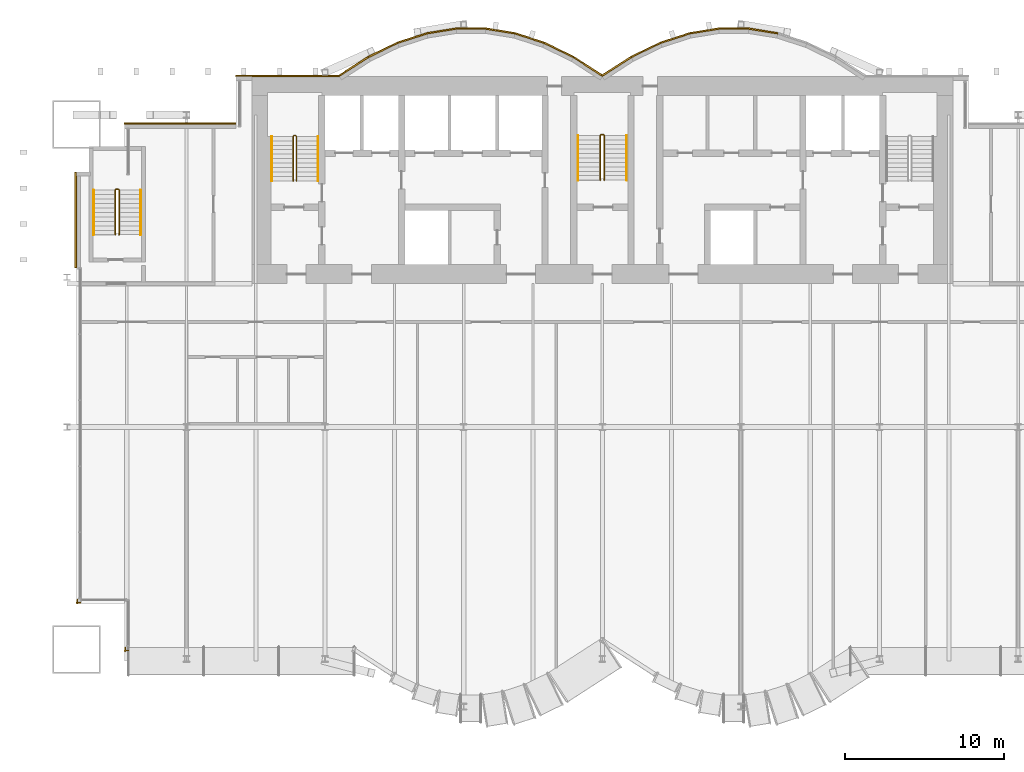
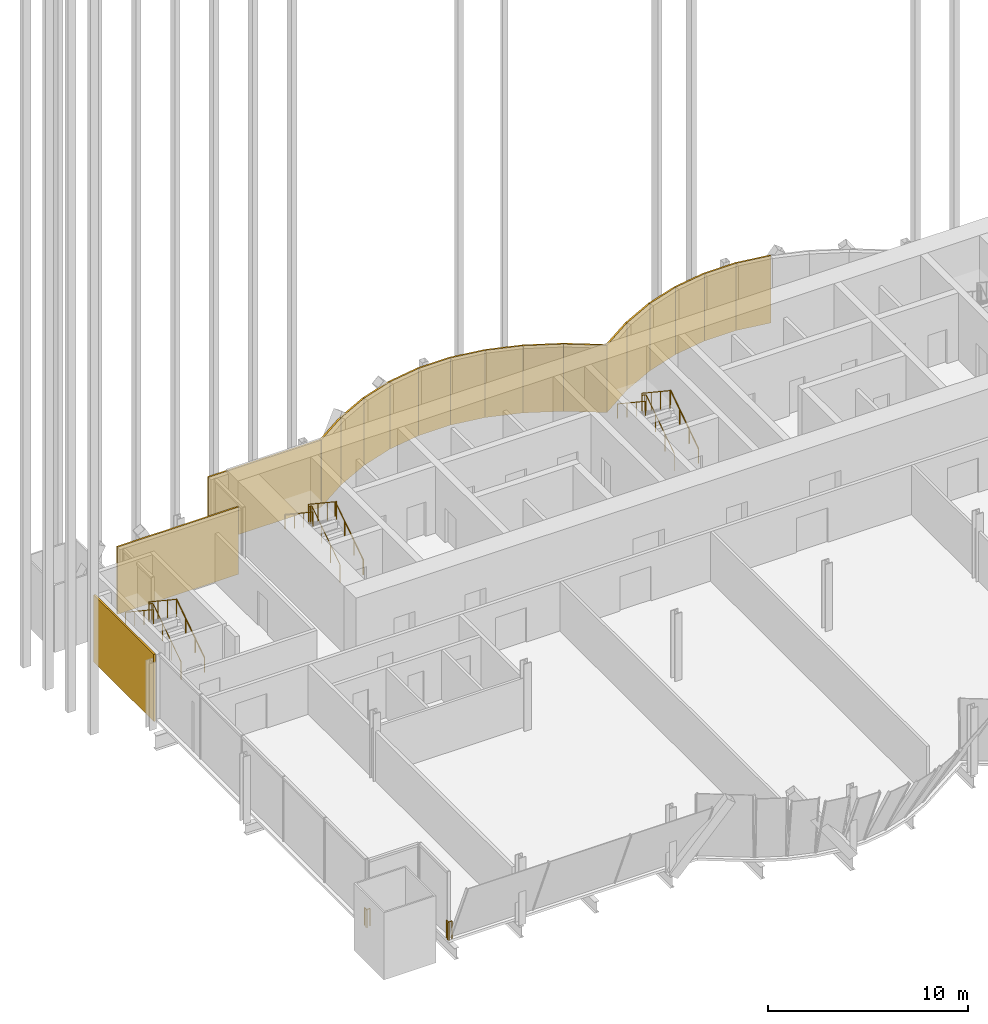
# One storey, part 21 of 22: 18 coverings, 11 railings.
"""IFC4 building model written with IfcOpenShell, lengths in metres."""

from ifc_helpers import new_model, si_unit, direction, frame, origin, origin_2d, place, context, subcontext, project, spatial, rectangle, circle, extrude, material, layer, layer_set, type_object, element, save


model = new_model("IFC4")

# Units and contexts
model_context = context("Model", 3, precision=1e-05, world=origin(), true_north=direction((0.0, 1.0)))
body_context = subcontext(model_context, "Body", "Model", "MODEL_VIEW")
ifc_project = project(units=[si_unit("LENGTHUNIT", "METRE"), si_unit("AREAUNIT", "SQUARE_METRE"), si_unit("VOLUMEUNIT", "CUBIC_METRE"), si_unit("PLANEANGLEUNIT", "RADIAN"), si_unit("MASSUNIT", "GRAM", prefix="KILO")], contexts=[model_context])

# Site, building, storey
site_placement = place(None, origin())
site = spatial("IfcSite", under=ifc_project, at=site_placement, CompositionType="ELEMENT")
building_placement = place(site_placement, origin())
building = spatial("IfcBuilding", under=site, at=building_placement, Name="Bicima Exchange Tower", CompositionType="ELEMENT")
storey_placement = place(building_placement, frame((0.0, 0.0, 89.89990234375)))
storey = spatial("IfcBuildingStorey", under=building, at=storey_placement, Name="L18", CompositionType="ELEMENT", Elevation=89.89990234375)

# Coverings
ifc_material_1 = material(Name="Bronze metal cladding")
ifc_layer_1 = layer(ifc_material_1, 0.004)
ifc_material_2 = material(Name="Ventilated cavity")
ifc_layer_2 = layer(ifc_material_2, 0.06)
ifc_material_3 = material(Name="Galvanised steel rail and mineral wool", Category="steel")
ifc_layer_3 = layer(ifc_material_3, 0.036)
ifc_layer_set = layer_set([ifc_layer_1, ifc_layer_2, ifc_layer_3], Name="Ventilated cavity")
covering_type = type_object("IfcCoveringType", Name="Bronze metal cladding panel 100", PredefinedType="CLADDING", material=ifc_layer_set)
covering_1_placement = place(storey_placement, frame((10.09130859375, 2.8642578125, -0.14990234375), z_axis=(0.0, 0.0, 1.0), x_axis=(-0.987189786347, 0.159550386184, 0.0)))
element("IfcCovering", 1, at=covering_1_placement, inside=storey, type_object=covering_type, Name="Bronze cladding L18 11.1", PredefinedType="CLADDING", context=body_context, shape_type="SweptSolid", body=[
    extrude(rectangle(XDim=1.857177734375, YDim=0.10009765625, at=origin_2d()), origin(), (0.0, 0.0, 1.0), 4.10009765625),
])
covering_2_placement = place(storey_placement, frame((8.25, 3.012939453125, -0.14990234375), z_axis=(0.0, 0.0, 1.0), x_axis=(-1.0, 0.0, 0.0)))
element("IfcCovering", 2, at=covering_2_placement, inside=storey, type_object=covering_type, Name="Bronze cladding L18 12.1", PredefinedType="CLADDING", context=body_context, shape_type="SweptSolid", body=[
    extrude(rectangle(XDim=1.83349609375, YDim=0.10009765625, at=origin_2d()), origin(), (0.0, 0.0, 1.0), 4.10009765625),
])
covering_3_placement = place(storey_placement, frame((6.40869140625, 2.8642578125, -0.14990234375), z_axis=(0.0, 0.0, 1.0), x_axis=(-0.987189786347, -0.159550386184, 0.0)))
element("IfcCovering", 3, at=covering_3_placement, inside=storey, type_object=covering_type, Name="Bronze cladding L18 13.1", PredefinedType="CLADDING", context=body_context, shape_type="SweptSolid", body=[
    extrude(rectangle(XDim=1.857177734375, YDim=0.10009765625, at=origin_2d()), origin(), (0.0, 0.0, 1.0), 4.10009765625),
])
covering_4_placement = place(storey_placement, frame((4.568115234375, 2.41796875, -0.14990234375), z_axis=(0.0, 0.0, 1.0), x_axis=(-0.951524642381, -0.307572519808, 0.0)))
element("IfcCovering", 4, at=covering_4_placement, inside=storey, type_object=covering_type, Name="Bronze cladding L18 14.1", PredefinedType="CLADDING", context=body_context, shape_type="SweptSolid", body=[
    extrude(rectangle(XDim=1.9267578125, YDim=0.10009765625, at=origin_2d()), origin(), (0.0, 0.0, 1.0), 4.10009765625),
])
covering_5_placement = place(storey_placement, frame((2.728271484375, 1.674560546875, -0.14990234375), z_axis=(0.0, 0.0, 1.0), x_axis=(-0.899818346812, -0.436264762204, 0.0)))
element("IfcCovering", 5, at=covering_5_placement, inside=storey, type_object=covering_type, Name="Bronze cladding L18 15.1", PredefinedType="CLADDING", context=body_context, shape_type="SweptSolid", body=[
    extrude(rectangle(XDim=2.03759765625, YDim=0.10009765625, at=origin_2d()), origin(), (0.0, 0.0, 1.0), 4.10009765625),
])
for number, where, z_axis, x_axis, name in (
    (6, (0.889404296875, 0.634521484375, -0.14990234375), (0.0, 0.0, 1.0), (-0.839790466384, -0.542910648791, 0.0), "Bronze cladding L18 16.1"),
    (7, (-0.889404296875, 0.634521484375, -0.14990234375), (0.0, 0.0, 1.0), (-0.839790466384, 0.542910648791, 0.0), "Bronze cladding L18 17.1"),
):
    element("IfcCovering", number, at=place(storey_placement, frame(where, z_axis=z_axis, x_axis=x_axis)), inside=storey, type_object=covering_type, Name=name, PredefinedType="CLADDING", context=body_context, shape_type="SweptSolid", body=[
        extrude(rectangle(XDim=2.18310546875, YDim=0.10009765625, at=origin_2d()), origin(), (0.0, 0.0, 1.0), 4.10009765625),
    ])
covering_6_placement = place(storey_placement, frame((-2.728271484375, 1.674560546875, -0.14990234375), z_axis=(0.0, 0.0, 1.0), x_axis=(-0.899818346812, 0.436264762204, 0.0)))
element("IfcCovering", 8, at=covering_6_placement, inside=storey, type_object=covering_type, Name="Bronze cladding L18 18.1", PredefinedType="CLADDING", context=body_context, shape_type="SweptSolid", body=[
    extrude(rectangle(XDim=2.03759765625, YDim=0.10009765625, at=origin_2d()), origin(), (0.0, 0.0, 1.0), 4.10009765625),
])
covering_7_placement = place(storey_placement, frame((-4.568115234375, 2.41796875, -0.14990234375), z_axis=(0.0, 0.0, 1.0), x_axis=(-0.951524642381, 0.307572519808, 0.0)))
element("IfcCovering", 9, at=covering_7_placement, inside=storey, type_object=covering_type, Name="Bronze cladding L18 19.1", PredefinedType="CLADDING", context=body_context, shape_type="SweptSolid", body=[
    extrude(rectangle(XDim=1.9267578125, YDim=0.10009765625, at=origin_2d()), origin(), (0.0, 0.0, 1.0), 4.10009765625),
])
covering_8_placement = place(storey_placement, frame((-6.40869140625, 2.8642578125, -0.14990234375), z_axis=(0.0, 0.0, 1.0), x_axis=(-0.987189786347, 0.159550386184, 0.0)))
element("IfcCovering", 10, at=covering_8_placement, inside=storey, type_object=covering_type, Name="Bronze cladding L18 20.1", PredefinedType="CLADDING", context=body_context, shape_type="SweptSolid", body=[
    extrude(rectangle(XDim=1.857177734375, YDim=0.10009765625, at=origin_2d()), origin(), (0.0, 0.0, 1.0), 4.10009765625),
])
covering_9_placement = place(storey_placement, frame((-8.25, 3.012939453125, -0.14990234375), z_axis=(0.0, 0.0, 1.0), x_axis=(-1.0, 0.0, 0.0)))
element("IfcCovering", 11, at=covering_9_placement, inside=storey, type_object=covering_type, Name="Bronze cladding L18 21.1", PredefinedType="CLADDING", context=body_context, shape_type="SweptSolid", body=[
    extrude(rectangle(XDim=1.83349609375, YDim=0.10009765625, at=origin_2d()), origin(), (0.0, 0.0, 1.0), 4.10009765625),
])
covering_10_placement = place(storey_placement, frame((-10.09130859375, 2.8642578125, -0.14990234375), z_axis=(0.0, 0.0, 1.0), x_axis=(-0.987189786347, -0.159550386184, 0.0)))
element("IfcCovering", 12, at=covering_10_placement, inside=storey, type_object=covering_type, Name="Bronze cladding L18 22.1", PredefinedType="CLADDING", context=body_context, shape_type="SweptSolid", body=[
    extrude(rectangle(XDim=1.857177734375, YDim=0.10009765625, at=origin_2d()), origin(), (0.0, 0.0, 1.0), 4.10009765625),
])
covering_11_placement = place(storey_placement, frame((-11.931884765625, 2.41796875, -0.14990234375), z_axis=(0.0, 0.0, 1.0), x_axis=(-0.951524642381, -0.307572519808, 0.0)))
element("IfcCovering", 13, at=covering_11_placement, inside=storey, type_object=covering_type, Name="Bronze cladding L18 23.1", PredefinedType="CLADDING", context=body_context, shape_type="SweptSolid", body=[
    extrude(rectangle(XDim=1.9267578125, YDim=0.10009765625, at=origin_2d()), origin(), (0.0, 0.0, 1.0), 4.10009765625),
])
covering_12_placement = place(storey_placement, frame((-13.771728515625, 1.674560546875, -0.14990234375), z_axis=(0.0, 0.0, 1.0), x_axis=(-0.899818346812, -0.436264762204, 0.0)))
element("IfcCovering", 14, at=covering_12_placement, inside=storey, type_object=covering_type, Name="Bronze cladding L18 24.1", PredefinedType="CLADDING", context=body_context, shape_type="SweptSolid", body=[
    extrude(rectangle(XDim=2.03759765625, YDim=0.10009765625, at=origin_2d()), origin(), (0.0, 0.0, 1.0), 4.10009765625),
])
covering_13_placement = place(storey_placement, frame((-15.610595703125, 0.634521484375, -0.14990234375), z_axis=(0.0, 0.0, 1.0), x_axis=(-0.839790466384, -0.542910648791, 0.0)))
element("IfcCovering", 15, at=covering_13_placement, inside=storey, type_object=covering_type, Name="Bronze cladding L18 25.1", PredefinedType="CLADDING", context=body_context, shape_type="SweptSolid", body=[
    extrude(rectangle(XDim=2.18310546875, YDim=0.10009765625, at=origin_2d()), origin(), (0.0, 0.0, 1.0), 4.10009765625),
])
covering_14_placement = place(storey_placement, frame((-19.75, 0.050048828125, -0.14990234375), z_axis=(0.0, 0.0, 1.0), x_axis=(-1.0, 0.0, 0.0)))
element("IfcCovering", 16, at=covering_14_placement, inside=storey, type_object=covering_type, Name="Bronze cladding L18 26.1", PredefinedType="CLADDING", context=body_context, shape_type="SweptSolid", body=[
    extrude(rectangle(XDim=6.5, YDim=0.10009765625, at=origin_2d()), origin(), (0.0, 0.0, 1.0), 4.10009765625),
])
covering_15_placement = place(storey_placement, frame((-26.5, -2.949951171875, -0.14990234375), z_axis=(0.0, 0.0, 1.0), x_axis=(-1.0, 0.0, 0.0)))
element("IfcCovering", 17, at=covering_15_placement, inside=storey, type_object=covering_type, Name="Bronze cladding L18 28.1", PredefinedType="CLADDING", context=body_context, shape_type="SweptSolid", body=[
    extrude(rectangle(XDim=7.0, YDim=0.10009765625, at=origin_2d()), origin(), (0.0, 0.0, 1.0), 4.10009765625),
])
covering_16_placement = place(storey_placement, frame((-33.050048828125, -9.0, -0.14990234375), z_axis=(0.0, 0.0, 1.0), x_axis=(0.0, -1.0, 0.0)))
element("IfcCovering", 18, at=covering_16_placement, inside=storey, type_object=covering_type, Name="Bronze cladding L18 31.1", PredefinedType="CLADDING", context=body_context, shape_type="SweptSolid", body=[
    extrude(rectangle(XDim=6.0, YDim=0.10009765625, at=origin_2d()), origin(), (0.0, 0.0, 1.0), 4.10009765625),
])

# Railings
ifc_material_4 = material(Name="Stainless steel and bonded safety glass", Category="steel")
railing_type_1 = type_object("IfcRailingType", Name="Edge guard 1100", PredefinedType="GUARDRAIL", material=ifc_material_4)
railing_1_placement = place(storey_placement, frame((-29.751953125, -36.02197265625, 0.0)))
element("IfcRailing", 19, at=railing_1_placement, inside=storey, type_object=railing_type_1, Name="Edge guard L18 82", PredefinedType="GUARDRAIL", context=body_context, shape_type="SweptSolid", body=[
    extrude(circle(Radius=0.02392578125, at=origin_2d()), frame((0.0, 0.0, 1.076171875), z_axis=(-1.0, 0.0, 0.0), x_axis=(0.0, -1.0, 0.0)), (0.0, 0.0, 1.0), 0.248046875),
    extrude(circle(Radius=0.02392578125, at=origin_2d()), frame((-0.248046875, 0.0, 1.076171875), z_axis=(0.707106781187, -0.707106781187, 0.0), x_axis=(0.707106781187, 0.707106781187, 0.0)), (0.0, 0.0, 1.0), 0.07080078125),
    extrude(circle(Radius=0.02392578125, at=origin_2d()), frame((-0.197998046875, -0.050048828125, 1.076171875), z_axis=(0.0, 1.0, 0.0), x_axis=(-1.0, 0.0, 0.0)), (0.0, 0.0, 1.0), 0.25),
    extrude(circle(Radius=0.02099609375, at=origin_2d()), origin(), (0.0, 0.0, 1.0), 1.052001953125),
    extrude(circle(Radius=0.02099609375, at=origin_2d()), frame((-0.248046875, 0.0, 0.0)), (0.0, 0.0, 1.0), 1.052001953125),
    extrude(circle(Radius=0.02099609375, at=origin_2d()), frame((-0.197998046875, -0.050048828125, 0.0)), (0.0, 0.0, 1.0), 1.052001953125),
    extrude(circle(Radius=0.02099609375, at=origin_2d()), frame((-0.197998046875, 0.199951171875, 0.0)), (0.0, 0.0, 1.0), 1.052001953125),
])
railing_2_placement = place(storey_placement, frame((-32.75, -33.02197265625, 0.0)))
element("IfcRailing", 20, at=railing_2_placement, inside=storey, type_object=railing_type_1, Name="Edge guard L18 83", PredefinedType="GUARDRAIL", context=body_context, shape_type="SweptSolid", body=[
    extrude(circle(Radius=0.02392578125, at=origin_2d()), frame((0.0, 0.0, 1.076171875), z_axis=(-1.0, 0.0, 0.0), x_axis=(0.0, -1.0, 0.0)), (0.0, 0.0, 1.0), 0.25),
    extrude(circle(Radius=0.02392578125, at=origin_2d()), frame((-0.25, 0.0, 1.076171875), z_axis=(0.707106781187, -0.707106781187, 0.0), x_axis=(0.707106781187, 0.707106781187, 0.0)), (0.0, 0.0, 1.0), 0.07080078125),
    extrude(circle(Radius=0.02392578125, at=origin_2d()), frame((-0.199951171875, -0.050048828125, 1.076171875), z_axis=(0.0, 1.0, 0.0), x_axis=(-1.0, 0.0, 0.0)), (0.0, 0.0, 1.0), 0.248046875),
    extrude(circle(Radius=0.02099609375, at=origin_2d()), origin(), (0.0, 0.0, 1.0), 1.052001953125),
    extrude(circle(Radius=0.02099609375, at=origin_2d()), frame((-0.25, 0.0, 0.0)), (0.0, 0.0, 1.0), 1.052001953125),
    extrude(circle(Radius=0.02099609375, at=origin_2d()), frame((-0.199951171875, -0.050048828125, 0.0)), (0.0, 0.0, 1.0), 1.052001953125),
    extrude(circle(Radius=0.02099609375, at=origin_2d()), frame((-0.199951171875, 0.197998046875, 0.0)), (0.0, 0.0, 1.0), 1.052001953125),
])
ifc_material_5 = material(Name="Stainless steel", Category="steel")
railing_type_2 = type_object("IfcRailingType", Name="Stair guard 1100", PredefinedType="GUARDRAIL", material=ifc_material_5)
railing_3_placement = place(storey_placement, frame((-19.199951171875, -6.550048828125, 0.1865234375)))
element("IfcRailing", 21, at=railing_3_placement, inside=storey, type_object=railing_type_2, Name="L18 ST-W stair guard 1", PredefinedType="GUARDRAIL", context=body_context, shape_type="SweptSolid", body=[
    extrude(circle(Radius=0.02392578125, at=origin_2d()), frame((0.0, 0.0, 1.076171875), z_axis=(0.0, 0.832485552168, 0.554046753832), x_axis=(-1.0, 0.0, 0.0)), (0.0, 0.0, 1.0), 3.363525390625),
    extrude(circle(Radius=0.02392578125, at=origin_2d()), frame((0.0, 2.800048828125, 2.939453125), z_axis=(-0.707106781187, 0.707106781187, 0.0), x_axis=(-0.707106781187, -0.707106781187, 0.0)), (0.0, 0.0, 1.0), 0.07080078125),
    extrude(circle(Radius=0.02392578125, at=origin_2d()), frame((-0.050048828125, 2.85009765625, 2.939453125), z_axis=(-1.0, 0.0, 0.0), x_axis=(0.0, -1.0, 0.0)), (0.0, 0.0, 1.0), 0.10009765625),
    extrude(circle(Radius=0.02392578125, at=origin_2d()), frame((-0.150146484375, 2.85009765625, 2.939453125), z_axis=(-0.249722437352, -0.250946566947, 0.935235010476), x_axis=(0.708833529934, -0.705375805398, 0.0)), (0.0, 0.0, 1.0), 0.199462890625),
    extrude(circle(Radius=0.02392578125, at=origin_2d()), frame((-0.199951171875, 2.800048828125, 3.1259765625), z_axis=(0.0, -0.832485552168, 0.554046753832), x_axis=(1.0, 0.0, 0.0)), (0.0, 0.0, 1.0), 3.363525390625),
    extrude(circle(Radius=0.02099609375, at=origin_2d()), origin(), (0.0, 0.0, 1.0), 1.052001953125),
    extrude(circle(Radius=0.02099609375, at=origin_2d()), frame((0.0, 0.933349609375, 0.62109375)), (0.0, 0.0, 1.0), 1.052001953125),
    extrude(circle(Radius=0.02099609375, at=origin_2d()), frame((0.0, 1.86669921875, 1.242431640625)), (0.0, 0.0, 1.0), 1.052001953125),
    extrude(circle(Radius=0.02099609375, at=origin_2d()), frame((0.0, 2.800048828125, 1.863525390625)), (0.0, 0.0, 1.0), 1.052001953125),
    extrude(circle(Radius=0.02099609375, at=origin_2d()), frame((-0.050048828125, 2.85009765625, 1.863525390625)), (0.0, 0.0, 1.0), 1.052001953125),
    extrude(circle(Radius=0.02099609375, at=origin_2d()), frame((-0.150146484375, 2.85009765625, 1.863525390625)), (0.0, 0.0, 1.0), 1.052001953125),
    extrude(circle(Radius=0.02099609375, at=origin_2d()), frame((-0.199951171875, 2.800048828125, 2.050048828125)), (0.0, 0.0, 1.0), 1.052001953125),
    extrude(circle(Radius=0.02099609375, at=origin_2d()), frame((-0.199951171875, 1.86669921875, 2.671142578125)), (0.0, 0.0, 1.0), 1.052001953125),
    extrude(circle(Radius=0.02099609375, at=origin_2d()), frame((-0.199951171875, 0.933349609375, 3.29248046875)), (0.0, 0.0, 1.0), 1.052001953125),
    extrude(circle(Radius=0.02099609375, at=origin_2d()), frame((-0.199951171875, 0.0, 3.91357421875)), (0.0, 0.0, 1.0), 1.052001953125),
])
railing_4_placement = place(storey_placement, frame((0.125, -6.5, 0.1865234375)))
element("IfcRailing", 22, at=railing_4_placement, inside=storey, type_object=railing_type_2, Name="L18 ST-C stair guard 1", PredefinedType="GUARDRAIL", context=body_context, shape_type="SweptSolid", body=[
    extrude(circle(Radius=0.02392578125, at=origin_2d()), frame((0.0, 0.0, 1.076171875), z_axis=(0.0, 0.832485552168, 0.554046753832), x_axis=(-1.0, 0.0, 0.0)), (0.0, 0.0, 1.0), 3.363525390625),
    extrude(circle(Radius=0.02392578125, at=origin_2d()), frame((0.0, 2.800048828125, 2.939453125), z_axis=(-0.707106781187, 0.707106781187, 0.0), x_axis=(-0.707106781187, -0.707106781187, 0.0)), (0.0, 0.0, 1.0), 0.07080078125),
    extrude(circle(Radius=0.02392578125, at=origin_2d()), frame((-0.050048828125, 2.85009765625, 2.939453125), z_axis=(-1.0, 0.0, 0.0), x_axis=(0.0, -1.0, 0.0)), (0.0, 0.0, 1.0), 0.14990234375),
    extrude(circle(Radius=0.02392578125, at=origin_2d()), frame((-0.199951171875, 2.85009765625, 2.939453125), z_axis=(-0.250869701741, -0.250869701741, 0.934948546978), x_axis=(0.707106781187, -0.707106781187, 0.0)), (0.0, 0.0, 1.0), 0.199462890625),
    extrude(circle(Radius=0.02392578125, at=origin_2d()), frame((-0.25, 2.800048828125, 3.1259765625), z_axis=(0.0, -0.832485552168, 0.554046753832), x_axis=(1.0, 0.0, 0.0)), (0.0, 0.0, 1.0), 3.363525390625),
    extrude(circle(Radius=0.02099609375, at=origin_2d()), origin(), (0.0, 0.0, 1.0), 1.052001953125),
    extrude(circle(Radius=0.02099609375, at=origin_2d()), frame((0.0, 0.933349609375, 0.62109375)), (0.0, 0.0, 1.0), 1.052001953125),
    extrude(circle(Radius=0.02099609375, at=origin_2d()), frame((0.0, 1.86669921875, 1.242431640625)), (0.0, 0.0, 1.0), 1.052001953125),
    extrude(circle(Radius=0.02099609375, at=origin_2d()), frame((0.0, 2.800048828125, 1.863525390625)), (0.0, 0.0, 1.0), 1.052001953125),
    extrude(circle(Radius=0.02099609375, at=origin_2d()), frame((-0.050048828125, 2.85009765625, 1.863525390625)), (0.0, 0.0, 1.0), 1.052001953125),
    extrude(circle(Radius=0.02099609375, at=origin_2d()), frame((-0.199951171875, 2.85009765625, 1.863525390625)), (0.0, 0.0, 1.0), 1.052001953125),
    extrude(circle(Radius=0.02099609375, at=origin_2d()), frame((-0.25, 2.800048828125, 2.050048828125)), (0.0, 0.0, 1.0), 1.052001953125),
    extrude(circle(Radius=0.02099609375, at=origin_2d()), frame((-0.25, 1.86669921875, 2.671142578125)), (0.0, 0.0, 1.0), 1.052001953125),
    extrude(circle(Radius=0.02099609375, at=origin_2d()), frame((-0.25, 0.933349609375, 3.29248046875)), (0.0, 0.0, 1.0), 1.052001953125),
    extrude(circle(Radius=0.02099609375, at=origin_2d()), frame((-0.25, 0.0, 3.91357421875)), (0.0, 0.0, 1.0), 1.052001953125),
])
railing_5_placement = place(storey_placement, frame((-30.324951171875, -9.925048828125, 0.1865234375)))
element("IfcRailing", 23, at=railing_5_placement, inside=storey, type_object=railing_type_2, Name="L18 ST-WW stair guard 1", PredefinedType="GUARDRAIL", context=body_context, shape_type="SweptSolid", body=[
    extrude(circle(Radius=0.02392578125, at=origin_2d()), frame((0.0, 0.0, 1.076171875), z_axis=(0.0, 0.832485552168, 0.554046753832), x_axis=(-1.0, 0.0, 0.0)), (0.0, 0.0, 1.0), 3.363525390625),
    extrude(circle(Radius=0.02392578125, at=origin_2d()), frame((0.0, 2.800048828125, 2.939453125), z_axis=(-0.707106781187, 0.707106781187, 0.0), x_axis=(-0.707106781187, -0.707106781187, 0.0)), (0.0, 0.0, 1.0), 0.07080078125),
    extrude(circle(Radius=0.02392578125, at=origin_2d()), frame((-0.050048828125, 2.85009765625, 2.939453125), z_axis=(-1.0, 0.0, 0.0), x_axis=(0.0, -1.0, 0.0)), (0.0, 0.0, 1.0), 0.14990234375),
    extrude(circle(Radius=0.02392578125, at=origin_2d()), frame((-0.199951171875, 2.85009765625, 2.939453125), z_axis=(-0.250869701741, -0.250869701741, 0.934948546978), x_axis=(0.707106781187, -0.707106781187, 0.0)), (0.0, 0.0, 1.0), 0.199462890625),
    extrude(circle(Radius=0.02392578125, at=origin_2d()), frame((-0.25, 2.800048828125, 3.1259765625), z_axis=(0.0, -0.832485552168, 0.554046753832), x_axis=(1.0, 0.0, 0.0)), (0.0, 0.0, 1.0), 3.363525390625),
    extrude(circle(Radius=0.02099609375, at=origin_2d()), origin(), (0.0, 0.0, 1.0), 1.052001953125),
    extrude(circle(Radius=0.02099609375, at=origin_2d()), frame((0.0, 0.933349609375, 0.62109375)), (0.0, 0.0, 1.0), 1.052001953125),
    extrude(circle(Radius=0.02099609375, at=origin_2d()), frame((0.0, 1.86669921875, 1.242431640625)), (0.0, 0.0, 1.0), 1.052001953125),
    extrude(circle(Radius=0.02099609375, at=origin_2d()), frame((0.0, 2.800048828125, 1.863525390625)), (0.0, 0.0, 1.0), 1.052001953125),
    extrude(circle(Radius=0.02099609375, at=origin_2d()), frame((-0.050048828125, 2.85009765625, 1.863525390625)), (0.0, 0.0, 1.0), 1.052001953125),
    extrude(circle(Radius=0.02099609375, at=origin_2d()), frame((-0.199951171875, 2.85009765625, 1.863525390625)), (0.0, 0.0, 1.0), 1.052001953125),
    extrude(circle(Radius=0.02099609375, at=origin_2d()), frame((-0.25, 2.800048828125, 2.050048828125)), (0.0, 0.0, 1.0), 1.052001953125),
    extrude(circle(Radius=0.02099609375, at=origin_2d()), frame((-0.25, 1.86669921875, 2.671142578125)), (0.0, 0.0, 1.0), 1.052001953125),
    extrude(circle(Radius=0.02099609375, at=origin_2d()), frame((-0.25, 0.933349609375, 3.29248046875)), (0.0, 0.0, 1.0), 1.052001953125),
    extrude(circle(Radius=0.02099609375, at=origin_2d()), frame((-0.25, 0.0, 3.91357421875)), (0.0, 0.0, 1.0), 1.052001953125),
])
railing_type_3 = type_object("IfcRailingType", Name="Stair handrail 900", PredefinedType="HANDRAIL", material=ifc_material_5)
railing_6_placement = place(storey_placement, frame((-17.85009765625, -6.550048828125, 0.1865234375)))
element("IfcRailing", 24, at=railing_6_placement, inside=storey, type_object=railing_type_3, Name="L18 ST-W stair handrail 1", PredefinedType="HANDRAIL", context=body_context, shape_type="SweptSolid", body=[
    extrude(circle(Radius=0.02392578125, at=origin_2d()), frame((0.0, 0.0, 0.8759765625), z_axis=(0.0, 0.832485552168, 0.554046753832), x_axis=(-1.0, 0.0, 0.0)), (0.0, 0.0, 1.0), 3.363525390625),
    extrude(circle(Radius=0.02099609375, at=origin_2d()), origin(), (0.0, 0.0, 1.0), 0.851806640625),
    extrude(circle(Radius=0.02099609375, at=origin_2d()), frame((0.0, 0.933349609375, 0.62109375)), (0.0, 0.0, 1.0), 0.851806640625),
    extrude(circle(Radius=0.02099609375, at=origin_2d()), frame((0.0, 1.86669921875, 1.242431640625)), (0.0, 0.0, 1.0), 0.851806640625),
    extrude(circle(Radius=0.02099609375, at=origin_2d()), frame((0.0, 2.800048828125, 1.863525390625)), (0.0, 0.0, 1.0), 0.851806640625),
])
railing_7_placement = place(storey_placement, frame((-20.75, -3.75, 2.27685546875)))
element("IfcRailing", 25, at=railing_7_placement, inside=storey, type_object=railing_type_3, Name="L18 ST-W stair handrail 2", PredefinedType="HANDRAIL", context=body_context, shape_type="SweptSolid", body=[
    extrude(circle(Radius=0.02392578125, at=origin_2d()), frame((0.0, 0.0, 0.8759765625), z_axis=(0.0, -0.832485552168, 0.554046753832), x_axis=(1.0, 0.0, 0.0)), (0.0, 0.0, 1.0), 3.363525390625),
    extrude(circle(Radius=0.02099609375, at=origin_2d()), origin(), (0.0, 0.0, 1.0), 0.851806640625),
    extrude(circle(Radius=0.02099609375, at=origin_2d()), frame((0.0, -0.933349609375, 0.62109375)), (0.0, 0.0, 1.0), 0.851806640625),
    extrude(circle(Radius=0.02099609375, at=origin_2d()), frame((0.0, -1.86669921875, 1.242431640625)), (0.0, 0.0, 1.0), 0.851806640625),
    extrude(circle(Radius=0.02099609375, at=origin_2d()), frame((0.0, -2.800048828125, 1.863525390625)), (0.0, 0.0, 1.0), 0.851806640625),
])
railing_8_placement = place(storey_placement, frame((1.52490234375, -6.5, 0.1865234375)))
element("IfcRailing", 26, at=railing_8_placement, inside=storey, type_object=railing_type_3, Name="L18 ST-C stair handrail 1", PredefinedType="HANDRAIL", context=body_context, shape_type="SweptSolid", body=[
    extrude(circle(Radius=0.02392578125, at=origin_2d()), frame((0.0, 0.0, 0.8759765625), z_axis=(0.0, 0.832485552168, 0.554046753832), x_axis=(-1.0, 0.0, 0.0)), (0.0, 0.0, 1.0), 3.363525390625),
    extrude(circle(Radius=0.02099609375, at=origin_2d()), origin(), (0.0, 0.0, 1.0), 0.851806640625),
    extrude(circle(Radius=0.02099609375, at=origin_2d()), frame((0.0, 0.933349609375, 0.62109375)), (0.0, 0.0, 1.0), 0.851806640625),
    extrude(circle(Radius=0.02099609375, at=origin_2d()), frame((0.0, 1.86669921875, 1.242431640625)), (0.0, 0.0, 1.0), 0.851806640625),
    extrude(circle(Radius=0.02099609375, at=origin_2d()), frame((0.0, 2.800048828125, 1.863525390625)), (0.0, 0.0, 1.0), 0.851806640625),
])
railing_9_placement = place(storey_placement, frame((-1.52490234375, -3.699951171875, 2.27685546875)))
element("IfcRailing", 27, at=railing_9_placement, inside=storey, type_object=railing_type_3, Name="L18 ST-C stair handrail 2", PredefinedType="HANDRAIL", context=body_context, shape_type="SweptSolid", body=[
    extrude(circle(Radius=0.02392578125, at=origin_2d()), frame((0.0, 0.0, 0.8759765625), z_axis=(0.0, -0.832485552168, 0.554046753832), x_axis=(1.0, 0.0, 0.0)), (0.0, 0.0, 1.0), 3.363525390625),
    extrude(circle(Radius=0.02099609375, at=origin_2d()), origin(), (0.0, 0.0, 1.0), 0.851806640625),
    extrude(circle(Radius=0.02099609375, at=origin_2d()), frame((0.0, -0.933349609375, 0.62109375)), (0.0, 0.0, 1.0), 0.851806640625),
    extrude(circle(Radius=0.02099609375, at=origin_2d()), frame((0.0, -1.86669921875, 1.242431640625)), (0.0, 0.0, 1.0), 0.851806640625),
    extrude(circle(Radius=0.02099609375, at=origin_2d()), frame((0.0, -2.800048828125, 1.863525390625)), (0.0, 0.0, 1.0), 0.851806640625),
])
railing_10_placement = place(storey_placement, frame((-28.97509765625, -9.925048828125, 0.1865234375)))
element("IfcRailing", 28, at=railing_10_placement, inside=storey, type_object=railing_type_3, Name="L18 ST-WW stair handrail 1", PredefinedType="HANDRAIL", context=body_context, shape_type="SweptSolid", body=[
    extrude(circle(Radius=0.02392578125, at=origin_2d()), frame((0.0, 0.0, 0.8759765625), z_axis=(0.0, 0.832485552168, 0.554046753832), x_axis=(-1.0, 0.0, 0.0)), (0.0, 0.0, 1.0), 3.363525390625),
    extrude(circle(Radius=0.02099609375, at=origin_2d()), origin(), (0.0, 0.0, 1.0), 0.851806640625),
    extrude(circle(Radius=0.02099609375, at=origin_2d()), frame((0.0, 0.933349609375, 0.62109375)), (0.0, 0.0, 1.0), 0.851806640625),
    extrude(circle(Radius=0.02099609375, at=origin_2d()), frame((0.0, 1.86669921875, 1.242431640625)), (0.0, 0.0, 1.0), 0.851806640625),
    extrude(circle(Radius=0.02099609375, at=origin_2d()), frame((0.0, 2.800048828125, 1.863525390625)), (0.0, 0.0, 1.0), 0.851806640625),
])
railing_11_placement = place(storey_placement, frame((-31.925048828125, -7.125, 2.27685546875)))
element("IfcRailing", 29, at=railing_11_placement, inside=storey, type_object=railing_type_3, Name="L18 ST-WW stair handrail 2", PredefinedType="HANDRAIL", context=body_context, shape_type="SweptSolid", body=[
    extrude(circle(Radius=0.02392578125, at=origin_2d()), frame((0.0, 0.0, 0.8759765625), z_axis=(0.0, -0.832485552168, 0.554046753832), x_axis=(1.0, 0.0, 0.0)), (0.0, 0.0, 1.0), 3.363525390625),
    extrude(circle(Radius=0.02099609375, at=origin_2d()), origin(), (0.0, 0.0, 1.0), 0.851806640625),
    extrude(circle(Radius=0.02099609375, at=origin_2d()), frame((0.0, -0.933349609375, 0.62109375)), (0.0, 0.0, 1.0), 0.851806640625),
    extrude(circle(Radius=0.02099609375, at=origin_2d()), frame((0.0, -1.86669921875, 1.242431640625)), (0.0, 0.0, 1.0), 0.851806640625),
    extrude(circle(Radius=0.02099609375, at=origin_2d()), frame((0.0, -2.800048828125, 1.863525390625)), (0.0, 0.0, 1.0), 0.851806640625),
])

save(model, "model.ifc")
